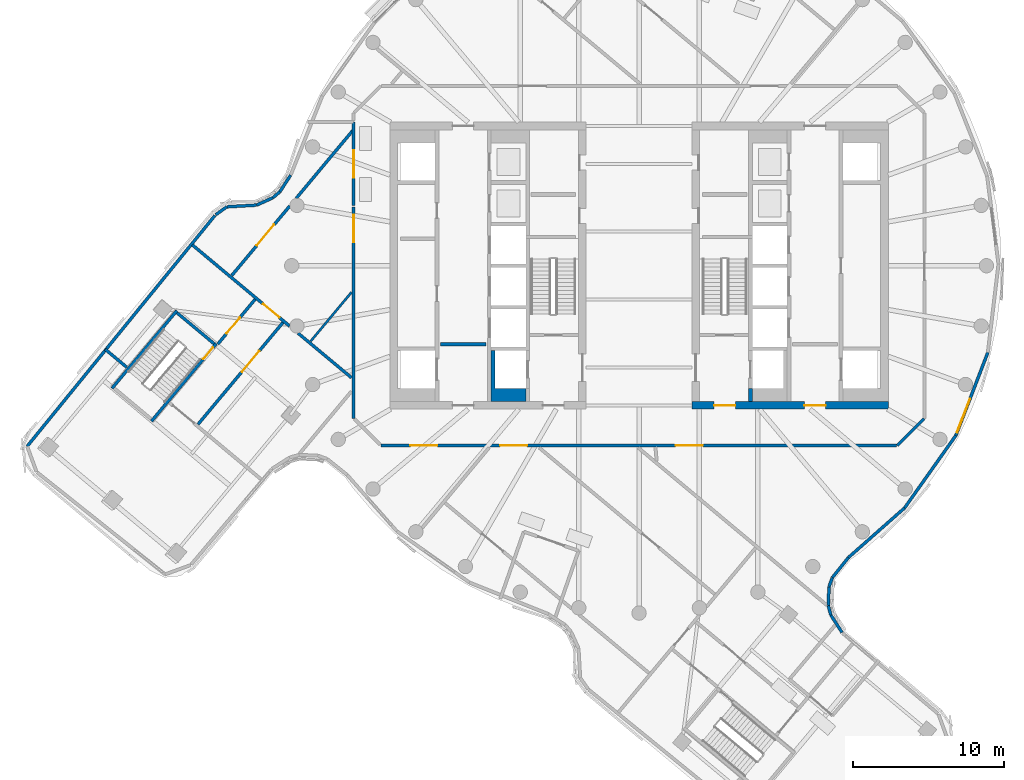
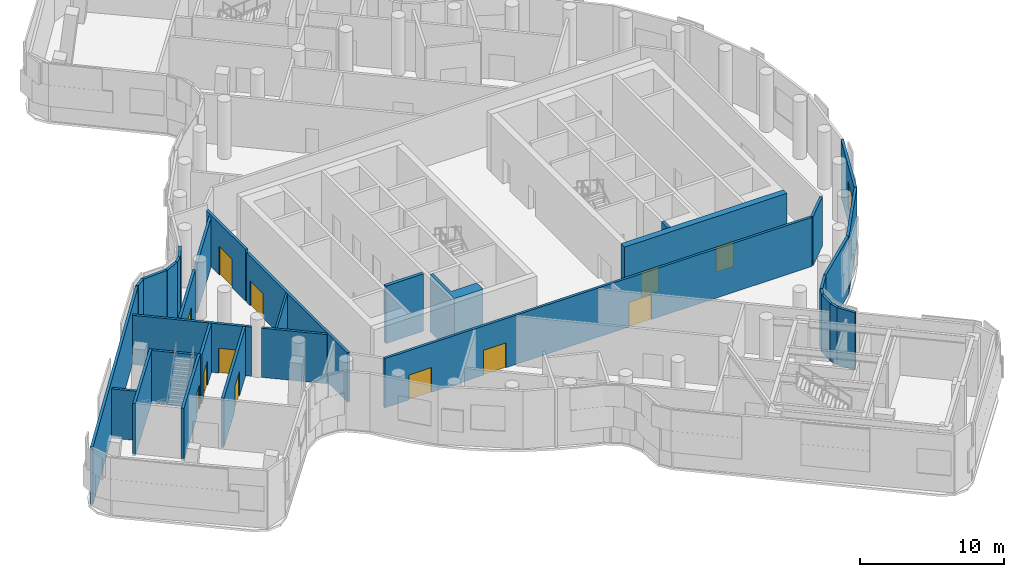
# One storey, part 8 of 19: 33 walls, 12 doors, 1 window, 13 openings.
"""IFC4 building model written with IfcOpenShell, lengths in metres."""

from ifc_helpers import new_model, si_unit, direction, frame, frame_2d, origin, place, context, subcontext, project, spatial, polyline, rectangle, outline, extrude, material, layer, layer_set, type_object, element, fill, save


model = new_model("IFC4")

# Units and contexts
model_context = context("Model", 3, precision=1e-05, world=origin(), true_north=direction((0.0, 1.0)))
body_context = subcontext(model_context, "Body", "Model", "MODEL_VIEW")
ifc_project = project(units=[si_unit("LENGTHUNIT", "METRE"), si_unit("AREAUNIT", "SQUARE_METRE"), si_unit("VOLUMEUNIT", "CUBIC_METRE"), si_unit("PLANEANGLEUNIT", "RADIAN"), si_unit("MASSUNIT", "GRAM", prefix="KILO")], contexts=[model_context])

# Site, building, storey
site_placement = place(None, origin())
site = spatial("IfcSite", under=ifc_project, at=site_placement, CompositionType="ELEMENT")
building_placement = place(site_placement, origin())
building = spatial("IfcBuilding", under=site, at=building_placement, Name="Tamarind Cross Interchange Tower", CompositionType="ELEMENT")
storey_placement = place(building_placement, frame((0.0, 0.0, 214.89990234375)))
storey = spatial("IfcBuildingStorey", under=building, at=storey_placement, Name="L54", CompositionType="ELEMENT", Elevation=214.89990234375)

# Wall, opening, door
ifc_material_1 = material(Name="Concrete C40", Category="concrete")
ifc_layer_1 = layer(ifc_material_1, 0.199951171875)
ifc_layer_set_1 = layer_set([ifc_layer_1], Name="Concrete C40")
wall_type_1 = type_object("IfcWallType", Name="Balcony and garden door wall", PredefinedType="SOLIDWALL", material=ifc_layer_set_1)
wall_1_placement = place(storey_placement, frame((-18.89990234375, 9.5, 0.0), z_axis=(0.0, 0.0, 1.0), x_axis=(0.0, -1.0, 0.0)))
wall_1 = element("IfcWall", 1, at=wall_1_placement, inside=storey, type_object=wall_type_1, Name="EXW-L54-WG-L54-NW", PredefinedType="SOLIDWALL", context=body_context, shape_type="SweptSolid", body=[
    extrude(rectangle(XDim=5.527099609375, YDim=0.199951171875, at=frame_2d((2.763671875, 0.0))), origin(), (0.0, 0.0, 1.0), 4.364013671875),
])
opening_1_placement = place(wall_1_placement, frame((1.863525390625, 0.0, 0.0)))
opening_1 = element("IfcOpeningElement", 2, at=opening_1_placement, cuts=wall_1, Name="Opening D6", PredefinedType="OPENING", context=body_context, shape_type="SweptSolid", body=[
    extrude(rectangle(XDim=1.800048828125, YDim=2.39990234375, at=frame_2d((0.89990234375, 1.199951171875))), frame((0.0, 0.10986328125, 0.0), z_axis=(0.0, -1.0, 0.0), x_axis=(1.0, 0.0, 0.0)), (0.0, 0.0, 1.0), 0.219970703125),
])
ifc_material_2 = material(Name="Aluminium and toughened glass, fire-resisting", Category="aluminium")
door_type_1 = type_object("IfcDoorType", Name="Roof garden door, fire-resisting", OperationType="DOUBLE_DOOR_SINGLE_SWING", PredefinedType="DOOR", material=ifc_material_2)
door_1_placement = place(opening_1_placement, origin())
door_1 = element("IfcDoor", 3, at=door_1_placement, inside=storey, type_object=door_type_1, Name="DOR-L54-WG-L54-NW", OperationType="SINGLE_SWING_LEFT", OverallHeight=2.39990234375, OverallWidth=1.800048828125, PredefinedType="DOOR", context=body_context, shape_type="SweptSolid", body=[
    extrude(rectangle(XDim=1.800048828125, YDim=2.39990234375, at=frame_2d((0.89990234375, 1.199951171875))), frame((0.0, 0.02490234375, 0.0), z_axis=(0.0, -1.0, 0.0), x_axis=(1.0, 0.0, 0.0)), (0.0, 0.0, 1.0), 0.050048828125),
])
fill(opening_1, door_1)

# Wall, openings, doors
ifc_material_3 = material(Name="Concrete C55", Category="concrete")
ifc_layer_2 = layer(ifc_material_3, 0.5)
ifc_layer_set_2 = layer_set([ifc_layer_2], Name="Concrete C55")
wall_type_2 = type_object("IfcWallType", Name="Core wall 500 mm Concrete C55", PredefinedType="SHEAR", material=ifc_layer_set_2)
wall_2_placement = place(storey_placement, frame((16.5, -9.25, 0.0), z_axis=(0.0, 0.0, 1.0), x_axis=(-1.0, 0.0, 0.0)))
wall_2 = element("IfcWall", 4, at=wall_2_placement, inside=storey, type_object=wall_type_2, Name="Core wall CWL-L54-E-S", PredefinedType="SHEAR", context=body_context, shape_type="SweptSolid", body=[
    extrude(rectangle(XDim=13.0, YDim=0.5, at=frame_2d((6.5, 0.0))), origin(), (0.0, 0.0, 1.0), 4.860107421875),
])
opening_2_placement = place(wall_2_placement, frame((4.14990234375, 0.0, 0.0)))
opening_2 = element("IfcOpeningElement", 5, at=opening_2_placement, cuts=wall_2, Name="Opening DCE1", PredefinedType="OPENING", context=body_context, shape_type="SweptSolid", body=[
    extrude(rectangle(XDim=1.39990234375, YDim=2.10009765625, at=frame_2d((0.699951171875, 1.050048828125))), frame((0.0, 0.260009765625, 0.0), z_axis=(0.0, -1.0, 0.0), x_axis=(1.0, 0.0, 0.0)), (0.0, 0.0, 1.0), 0.52001953125),
])
opening_3_placement = place(wall_2_placement, frame((10.125, 0.0, 0.0)))
opening_3 = element("IfcOpeningElement", 6, at=opening_3_placement, cuts=wall_2, Name="Opening DCEF", PredefinedType="OPENING", context=body_context, shape_type="SweptSolid", body=[
    extrude(rectangle(XDim=1.39990234375, YDim=2.10009765625, at=frame_2d((0.699951171875, 1.050048828125))), frame((0.0, 0.260009765625, 0.0), z_axis=(0.0, -1.0, 0.0), x_axis=(1.0, 0.0, 0.0)), (0.0, 0.0, 1.0), 0.52001953125),
])
ifc_material_4 = material(Name="Steel, fire-resisting", Category="steel")
door_type_2 = type_object("IfcDoorType", Name="Core fire door 1400 x 2100 FD90", OperationType="SINGLE_SWING_LEFT", PredefinedType="DOOR", material=ifc_material_4)
door_2_placement = place(opening_2_placement, origin())
door_2 = element("IfcDoor", 7, at=door_2_placement, inside=storey, type_object=door_type_2, Name="L54 lift lobby door", OperationType="SINGLE_SWING_LEFT", OverallHeight=2.10009765625, OverallWidth=1.39990234375, PredefinedType="DOOR", context=body_context, shape_type="SweptSolid", body=[
    extrude(rectangle(XDim=1.39990234375, YDim=2.10009765625, at=frame_2d((0.699951171875, 1.050048828125))), frame((0.0, 0.02490234375, 0.0), z_axis=(0.0, -1.0, 0.0), x_axis=(1.0, 0.0, 0.0)), (0.0, 0.0, 1.0), 0.050048828125),
])
fill(opening_2, door_2)
door_3_placement = place(opening_3_placement, origin())
door_3 = element("IfcDoor", 8, at=door_3_placement, inside=storey, type_object=door_type_2, Name="L54 firefighting lobby end door", OperationType="SINGLE_SWING_LEFT", OverallHeight=2.10009765625, OverallWidth=1.39990234375, PredefinedType="DOOR", context=body_context, shape_type="SweptSolid", body=[
    extrude(rectangle(XDim=1.39990234375, YDim=2.10009765625, at=frame_2d((0.699951171875, 1.050048828125))), frame((0.0, 0.02490234375, 0.0), z_axis=(0.0, -1.0, 0.0), x_axis=(1.0, 0.0, 0.0)), (0.0, 0.0, 1.0), 0.050048828125),
])
fill(opening_3, door_3)

# Walls
ifc_layer_3 = layer(ifc_material_3, 0.25)
ifc_layer_set_3 = layer_set([ifc_layer_3], Name="Concrete C55")
wall_type_3 = type_object("IfcWallType", Name="Core web wall 250 mm Concrete C55", PredefinedType="SHEAR", material=ifc_layer_set_3)
wall_3_placement = place(storey_placement, origin())
element("IfcWall", 9, at=wall_3_placement, inside=storey, type_object=wall_type_3, Name="Core wall CWL-L54-W-BS", PredefinedType="SHEAR", context=body_context, shape_type="SweptSolid", body=[
    extrude(outline(polyline([(-7.5, -8.125), (-9.550048828125, -8.125), (-9.550048828125, -5.625), (-9.800048828125, -5.625), (-9.800048828125, -8.125), (-9.800048828125, -9.0), (-7.5, -9.0), (-7.5, -8.125)])), origin(), (0.0, 0.0, 1.0), 4.860107421875),
])
wall_4_placement = place(storey_placement, frame((7.375, -9.0, 0.0), z_axis=(0.0, 0.0, 1.0), x_axis=(0.0, 1.0, 0.0)))
element("IfcWall", 10, at=wall_4_placement, inside=storey, type_object=wall_type_3, Name="Core wall CWL-L54-E-BW", PredefinedType="SHEAR", context=body_context, shape_type="SweptSolid", body=[
    extrude(rectangle(XDim=0.875, YDim=0.25, at=frame_2d((0.4375, 0.0))), origin(), (0.0, 0.0, 1.0), 4.860107421875),
])
ifc_material_5 = material(Name="Gypsum board partition on steel studs", Category="steel")
ifc_layer_4 = layer(ifc_material_5, 0.14990234375)
ifc_layer_set_4 = layer_set([ifc_layer_4], Name="Gypsum board partition on steel studs")
wall_type_4 = type_object("IfcWallType", Name="Partition 150 mm EI 120", PredefinedType="PARTITIONING", material=ifc_layer_set_4)
wall_5_placement = place(storey_placement, frame((-21.748046875, -5.00390625, 0.0), z_axis=(0.0, 0.0, 1.0), x_axis=(0.640814436724, 0.767695810647, 0.0)))
element("IfcWall", 11, at=wall_5_placement, inside=storey, type_object=wall_type_4, Name="Partition L54-033", PredefinedType="PARTITIONING", context=body_context, shape_type="SweptSolid", body=[
    extrude(rectangle(XDim=4.229248046875, YDim=0.14990234375, at=frame_2d((2.11474609375, 0.0))), origin(), (0.0, 0.0, 1.0), 4.16015625),
])
ifc_layer_5 = layer(ifc_material_5, 0.199951171875)
ifc_layer_set_5 = layer_set([ifc_layer_5], Name="Gypsum board partition on steel studs")
wall_type_5 = type_object("IfcWallType", Name="Partition 200 mm EI 180", PredefinedType="PARTITIONING", material=ifc_layer_set_5)
wall_6_placement = place(storey_placement, frame((-35.34521484375, -5.53466796875, 0.0), z_axis=(0.0, 0.0, 1.0), x_axis=(0.767995139873, -0.640455669919, 0.0)))
element("IfcWall", 12, at=wall_6_placement, inside=storey, type_object=wall_type_5, Name="Partition L54-004", PredefinedType="PARTITIONING", context=body_context, shape_type="SweptSolid", body=[
    extrude(rectangle(XDim=1.858642578125, YDim=0.199951171875, at=frame_2d((0.92919921875, 0.0))), origin(), (0.0, 0.0, 1.0), 4.16015625),
])

# Wall, opening, door
wall_7_placement = place(storey_placement, frame((-29.577880859375, 1.375244140625, 0.0), z_axis=(0.0, 0.0, 1.0), x_axis=(0.767770502141, -0.6407249457, 0.0)))
wall_7 = element("IfcWall", 13, at=wall_7_placement, inside=storey, type_object=wall_type_5, Name="Partition L54-006", PredefinedType="PARTITIONING", context=body_context, shape_type="SweptSolid", body=[
    extrude(rectangle(XDim=8.393798828125, YDim=0.199951171875, at=frame_2d((4.19677734375, 0.0))), origin(), (0.0, 0.0, 1.0), 4.16015625),
])
opening_4_placement = place(wall_7_placement, frame((6.098876953125, 0.0, 0.0)))
opening_4 = element("IfcOpeningElement", 14, at=opening_4_placement, cuts=wall_7, Name="Opening D02", PredefinedType="OPENING", context=body_context, shape_type="SweptSolid", body=[
    extrude(rectangle(XDim=1.39990234375, YDim=2.10009765625, at=frame_2d((0.699951171875, 1.050048828125))), frame((0.0, 0.10986328125, 0.0), z_axis=(0.0, -1.0, 0.0), x_axis=(1.0, 0.0, 0.0)), (0.0, 0.0, 1.0), 0.219970703125),
])
ifc_material_6 = material(Name="Fire-resisting door set")
door_type_3 = type_object("IfcDoorType", Name="Interior door 1400 x 2100 FD120S", OperationType="DOUBLE_DOOR_SINGLE_SWING", PredefinedType="DOOR", material=ifc_material_6)
door_4_placement = place(opening_4_placement, origin())
door_4 = element("IfcDoor", 15, at=door_4_placement, inside=storey, type_object=door_type_3, Name="Door D02", OperationType="DOUBLE_DOOR_SINGLE_SWING", OverallHeight=2.10009765625, OverallWidth=1.39990234375, PredefinedType="DOOR", context=body_context, shape_type="SweptSolid", body=[
    extrude(rectangle(XDim=1.39990234375, YDim=2.10009765625, at=frame_2d((0.699951171875, 1.050048828125))), frame((0.0, 0.02490234375, 0.0), z_axis=(0.0, -1.0, 0.0), x_axis=(1.0, 0.0, 0.0)), (0.0, 0.0, 1.0), 0.050048828125),
])
fill(opening_4, door_4)

# Wall
wall_8_placement = place(storey_placement, frame((-22.583984375, -4.461181640625, 0.0), z_axis=(0.0, 0.0, 1.0), x_axis=(0.767782587274, -0.640710463999, 0.0)))
element("IfcWall", 16, at=wall_8_placement, inside=storey, type_object=wall_type_5, Name="Partition L54-007", PredefinedType="PARTITIONING", context=body_context, shape_type="SweptSolid", body=[
    extrude(rectangle(XDim=4.609130859375, YDim=0.199951171875, at=frame_2d((2.3046875, 0.0))), origin(), (0.0, 0.0, 1.0), 4.16015625),
])

# Wall, openings, doors
wall_9_placement = place(storey_placement, frame((-17.10009765625, -11.89990234375, 0.0), z_axis=(0.0, 0.0, 1.0), x_axis=(1.0, 0.0, 0.0)))
wall_9 = element("IfcWall", 17, at=wall_9_placement, inside=storey, type_object=wall_type_5, Name="Partition L54-023", PredefinedType="PARTITIONING", context=body_context, shape_type="SweptSolid", body=[
    extrude(rectangle(XDim=34.14501953125, YDim=0.199951171875, at=frame_2d((17.072509765625, 0.0))), origin(), (0.0, 0.0, 1.0), 4.16015625),
])
opening_5_placement = place(wall_9_placement, frame((7.89404296875, 0.0, 0.0)))
opening_5 = element("IfcOpeningElement", 18, at=opening_5_placement, cuts=wall_9, Name="Opening D15", PredefinedType="OPENING", context=body_context, shape_type="SweptSolid", body=[
    extrude(rectangle(XDim=1.800048828125, YDim=2.10009765625, at=frame_2d((0.89990234375, 1.050048828125))), frame((0.0, 0.10986328125, 0.0), z_axis=(0.0, -1.0, 0.0), x_axis=(1.0, 0.0, 0.0)), (0.0, 0.0, 1.0), 0.219970703125),
])
opening_6_placement = place(wall_9_placement, frame((1.949951171875, 0.0, 0.0)))
opening_6 = element("IfcOpeningElement", 19, at=opening_6_placement, cuts=wall_9, Name="Opening D16", PredefinedType="OPENING", context=body_context, shape_type="SweptSolid", body=[
    extrude(rectangle(XDim=1.800048828125, YDim=2.10009765625, at=frame_2d((0.89990234375, 1.050048828125))), frame((0.0, 0.10986328125, 0.0), z_axis=(0.0, -1.0, 0.0), x_axis=(1.0, 0.0, 0.0)), (0.0, 0.0, 1.0), 0.219970703125),
])
opening_7_placement = place(wall_9_placement, frame((19.52294921875, 0.0, 0.0)))
opening_7 = element("IfcOpeningElement", 20, at=opening_7_placement, cuts=wall_9, Name="Opening D17", PredefinedType="OPENING", context=body_context, shape_type="SweptSolid", body=[
    extrude(rectangle(XDim=1.800048828125, YDim=2.10009765625, at=frame_2d((0.89990234375, 1.050048828125))), frame((0.0, 0.10986328125, 0.0), z_axis=(0.0, -1.0, 0.0), x_axis=(1.0, 0.0, 0.0)), (0.0, 0.0, 1.0), 0.219970703125),
])
door_type_4 = type_object("IfcDoorType", Name="Interior door 1800 x 2100 FD120S", OperationType="DOUBLE_DOOR_SINGLE_SWING", PredefinedType="DOOR", material=ifc_material_6)
door_5_placement = place(opening_5_placement, origin())
door_5 = element("IfcDoor", 21, at=door_5_placement, inside=storey, type_object=door_type_4, Name="Door D15", OperationType="DOUBLE_DOOR_SINGLE_SWING", OverallHeight=2.10009765625, OverallWidth=1.800048828125, PredefinedType="DOOR", context=body_context, shape_type="SweptSolid", body=[
    extrude(rectangle(XDim=1.800048828125, YDim=2.10009765625, at=frame_2d((0.89990234375, 1.050048828125))), frame((0.0, 0.02490234375, 0.0), z_axis=(0.0, -1.0, 0.0), x_axis=(1.0, 0.0, 0.0)), (0.0, 0.0, 1.0), 0.050048828125),
])
fill(opening_5, door_5)
door_6_placement = place(opening_6_placement, frame((1.800048828125, 0.0, 0.0), z_axis=(0.0, 0.0, 1.0), x_axis=(-1.0, 0.0, 0.0)))
door_6 = element("IfcDoor", 22, at=door_6_placement, inside=storey, type_object=door_type_4, Name="Door D16", OperationType="DOUBLE_DOOR_SINGLE_SWING", OverallHeight=2.10009765625, OverallWidth=1.800048828125, PredefinedType="DOOR", context=body_context, shape_type="SweptSolid", body=[
    extrude(rectangle(XDim=1.800048828125, YDim=2.10009765625, at=frame_2d((0.89990234375, 1.050048828125))), frame((0.0, 0.02490234375, 0.0), z_axis=(0.0, -1.0, 0.0), x_axis=(1.0, 0.0, 0.0)), (0.0, 0.0, 1.0), 0.050048828125),
])
fill(opening_6, door_6)
door_7_placement = place(opening_7_placement, frame((1.800048828125, 0.0, 0.0), z_axis=(0.0, 0.0, 1.0), x_axis=(-1.0, 0.0, 0.0)))
door_7 = element("IfcDoor", 23, at=door_7_placement, inside=storey, type_object=door_type_4, Name="Door D17", OperationType="DOUBLE_DOOR_SINGLE_SWING", OverallHeight=2.10009765625, OverallWidth=1.800048828125, PredefinedType="DOOR", context=body_context, shape_type="SweptSolid", body=[
    extrude(rectangle(XDim=1.800048828125, YDim=2.10009765625, at=frame_2d((0.89990234375, 1.050048828125))), frame((0.0, 0.02490234375, 0.0), z_axis=(0.0, -1.0, 0.0), x_axis=(1.0, 0.0, 0.0)), (0.0, 0.0, 1.0), 0.050048828125),
])
fill(opening_7, door_7)

# Wall
wall_10_placement = place(storey_placement, frame((17.10009765625, -11.89990234375, 0.0), z_axis=(0.0, 0.0, 1.0), x_axis=(0.707106781187, 0.707106781187, 0.0)))
element("IfcWall", 24, at=wall_10_placement, inside=storey, type_object=wall_type_5, Name="Partition L54-026", PredefinedType="PARTITIONING", context=body_context, shape_type="SweptSolid", body=[
    extrude(rectangle(XDim=2.485595703125, YDim=0.199951171875, at=frame_2d((1.24267578125, 0.0))), origin(), (0.0, 0.0, 1.0), 4.16015625),
])

# Wall, opening, door
wall_11_placement = place(storey_placement, frame((-29.2041015625, -10.50390625, 0.0), z_axis=(0.0, 0.0, 1.0), x_axis=(0.640742157365, 0.767756138221, 0.0)))
wall_11 = element("IfcWall", 25, at=wall_11_placement, inside=storey, type_object=wall_type_5, Name="Partition L54-027", PredefinedType="PARTITIONING", context=body_context, shape_type="SweptSolid", body=[
    extrude(rectangle(XDim=8.780517578125, YDim=0.199951171875, at=frame_2d((4.39013671875, 0.0))), origin(), (0.0, 0.0, 1.0), 4.16015625),
])
opening_8_placement = place(wall_11_placement, frame((4.530029296875, 0.0, 0.0)))
opening_8 = element("IfcOpeningElement", 26, at=opening_8_placement, cuts=wall_11, Name="Opening D20", PredefinedType="OPENING", context=body_context, shape_type="SweptSolid", body=[
    extrude(rectangle(XDim=1.800048828125, YDim=2.10009765625, at=frame_2d((0.89990234375, 1.050048828125))), frame((0.0, 0.10986328125, 0.0), z_axis=(0.0, -1.0, 0.0), x_axis=(1.0, 0.0, 0.0)), (0.0, 0.0, 1.0), 0.219970703125),
])
door_8_placement = place(opening_8_placement, frame((1.800048828125, 0.0, 0.0), z_axis=(0.0, 0.0, 1.0), x_axis=(-1.0, 0.0, 0.0)))
door_8 = element("IfcDoor", 27, at=door_8_placement, inside=storey, type_object=door_type_4, Name="Door D20", OperationType="DOUBLE_DOOR_SINGLE_SWING", OverallHeight=2.10009765625, OverallWidth=1.800048828125, PredefinedType="DOOR", context=body_context, shape_type="SweptSolid", body=[
    extrude(rectangle(XDim=1.800048828125, YDim=2.10009765625, at=frame_2d((0.89990234375, 1.050048828125))), frame((0.0, 0.02490234375, 0.0), z_axis=(0.0, -1.0, 0.0), x_axis=(1.0, 0.0, 0.0)), (0.0, 0.0, 1.0), 0.050048828125),
])
fill(opening_8, door_8)

wall_12_placement = place(storey_placement, frame((-27.8935546875, -5.1884765625, 0.0), z_axis=(0.0, 0.0, 1.0), x_axis=(0.640750333898, 0.767749314301, 0.0)))
wall_12 = element("IfcWall", 28, at=wall_12_placement, inside=storey, type_object=wall_type_5, Name="Partition L54-028", PredefinedType="PARTITIONING", context=body_context, shape_type="SweptSolid", body=[
    extrude(rectangle(XDim=3.860107421875, YDim=0.199951171875, at=frame_2d((1.93017578125, 0.0))), origin(), (0.0, 0.0, 1.0), 4.16015625),
])
opening_9_placement = place(wall_12_placement, frame((0.89990234375, 0.0, 0.0)))
opening_9 = element("IfcOpeningElement", 29, at=opening_9_placement, cuts=wall_12, Name="Opening D21", PredefinedType="OPENING", context=body_context, shape_type="SweptSolid", body=[
    extrude(rectangle(XDim=1.39990234375, YDim=2.10009765625, at=frame_2d((0.699951171875, 1.050048828125))), frame((0.0, 0.10986328125, 0.0), z_axis=(0.0, -1.0, 0.0), x_axis=(1.0, 0.0, 0.0)), (0.0, 0.0, 1.0), 0.219970703125),
])
door_9_placement = place(opening_9_placement, origin())
door_9 = element("IfcDoor", 30, at=door_9_placement, inside=storey, type_object=door_type_3, Name="Door D21", OperationType="DOUBLE_DOOR_SINGLE_SWING", OverallHeight=2.10009765625, OverallWidth=1.39990234375, PredefinedType="DOOR", context=body_context, shape_type="SweptSolid", body=[
    extrude(rectangle(XDim=1.39990234375, YDim=2.10009765625, at=frame_2d((0.699951171875, 1.050048828125))), frame((0.0, 0.02490234375, 0.0), z_axis=(0.0, -1.0, 0.0), x_axis=(1.0, 0.0, 0.0)), (0.0, 0.0, 1.0), 0.050048828125),
])
fill(opening_9, door_9)

wall_13_placement = place(storey_placement, frame((-26.968017578125, -0.64697265625, 0.0), z_axis=(0.0, 0.0, 1.0), x_axis=(0.640736859204, 0.767760559847, 0.0)))
wall_13 = element("IfcWall", 31, at=wall_13_placement, inside=storey, type_object=wall_type_5, Name="Partition L54-029", PredefinedType="PARTITIONING", context=body_context, shape_type="SweptSolid", body=[
    extrude(rectangle(XDim=5.99658203125, YDim=0.199951171875, at=frame_2d((2.998291015625, 0.0))), origin(), (0.0, 0.0, 1.0), 4.16015625),
])
opening_10_placement = place(wall_13_placement, frame((2.580078125, 0.0, 0.0)))
opening_10 = element("IfcOpeningElement", 32, at=opening_10_placement, cuts=wall_13, Name="Opening D22", PredefinedType="OPENING", context=body_context, shape_type="SweptSolid", body=[
    extrude(rectangle(XDim=1.800048828125, YDim=2.10009765625, at=frame_2d((0.89990234375, 1.050048828125))), frame((0.0, 0.10986328125, 0.0), z_axis=(0.0, -1.0, 0.0), x_axis=(1.0, 0.0, 0.0)), (0.0, 0.0, 1.0), 0.219970703125),
])
door_10_placement = place(opening_10_placement, origin())
door_10 = element("IfcDoor", 33, at=door_10_placement, inside=storey, type_object=door_type_4, Name="Door D22", OperationType="DOUBLE_DOOR_SINGLE_SWING", OverallHeight=2.10009765625, OverallWidth=1.800048828125, PredefinedType="DOOR", context=body_context, shape_type="SweptSolid", body=[
    extrude(rectangle(XDim=1.800048828125, YDim=2.10009765625, at=frame_2d((0.89990234375, 1.050048828125))), frame((0.0, 0.02490234375, 0.0), z_axis=(0.0, -1.0, 0.0), x_axis=(1.0, 0.0, 0.0)), (0.0, 0.0, 1.0), 0.050048828125),
])
fill(opening_10, door_10)

# Wall
wall_14_placement = place(storey_placement, frame((-22.701416015625, 4.46533203125, 0.0), z_axis=(0.0, 0.0, 1.0), x_axis=(0.640775177537, 0.767728579547, 0.0)))
element("IfcWall", 34, at=wall_14_placement, inside=storey, type_object=wall_type_5, Name="Partition L54-030", PredefinedType="PARTITIONING", context=body_context, shape_type="SweptSolid", body=[
    extrude(rectangle(XDim=5.9326171875, YDim=0.199951171875, at=frame_2d((2.96630859375, 0.0))), origin(), (0.0, 0.0, 1.0), 4.16015625),
])

# Wall, opening, door
wall_15_placement = place(storey_placement, frame((-18.89990234375, -10.10009765625, 0.0), z_axis=(0.0, 0.0, 1.0), x_axis=(0.0, 1.0, 0.0)))
wall_15 = element("IfcWall", 35, at=wall_15_placement, inside=storey, type_object=wall_type_5, Name="Partition L54-047", PredefinedType="PARTITIONING", context=body_context, shape_type="SweptSolid", body=[
    extrude(rectangle(XDim=13.972900390625, YDim=0.199951171875, at=frame_2d((6.986328125, 0.0))), origin(), (0.0, 0.0, 1.0), 4.16015625),
])
opening_11_placement = place(wall_15_placement, frame((11.657958984375, 0.0, 0.0)))
opening_11 = element("IfcOpeningElement", 36, at=opening_11_placement, cuts=wall_15, Name="Opening D27", PredefinedType="OPENING", context=body_context, shape_type="SweptSolid", body=[
    extrude(rectangle(XDim=1.800048828125, YDim=2.10009765625, at=frame_2d((0.89990234375, 1.050048828125))), frame((0.0, 0.10986328125, 0.0), z_axis=(0.0, -1.0, 0.0), x_axis=(1.0, 0.0, 0.0)), (0.0, 0.0, 1.0), 0.219970703125),
])
door_11_placement = place(opening_11_placement, frame((1.800048828125, 0.0, 0.0), z_axis=(0.0, 0.0, 1.0), x_axis=(-1.0, 0.0, 0.0)))
door_11 = element("IfcDoor", 37, at=door_11_placement, inside=storey, type_object=door_type_4, Name="Door D27", OperationType="DOUBLE_DOOR_SINGLE_SWING", OverallHeight=2.10009765625, OverallWidth=1.800048828125, PredefinedType="DOOR", context=body_context, shape_type="SweptSolid", body=[
    extrude(rectangle(XDim=1.800048828125, YDim=2.10009765625, at=frame_2d((0.89990234375, 1.050048828125))), frame((0.0, 0.02490234375, 0.0), z_axis=(0.0, -1.0, 0.0), x_axis=(1.0, 0.0, 0.0)), (0.0, 0.0, 1.0), 0.050048828125),
])
fill(opening_11, door_11)

# Walls
ifc_material_7 = material(Name="Precast concrete C40", Category="concrete")
ifc_layer_6 = layer(ifc_material_7, 0.199951171875)
ifc_layer_set_6 = layer_set([ifc_layer_6], Name="Precast concrete C40")
wall_type_6 = type_object("IfcWallType", Name="Refuge level external wall", PredefinedType="SOLIDWALL", material=ifc_layer_set_6)
wall_16_placement = place(storey_placement, frame((13.438232421875, -24.287353515625, 0.0), z_axis=(0.0, 0.0, 1.0), x_axis=(-0.540343058881, 0.841444816205, 0.0)))
element("IfcWall", 38, at=wall_16_placement, inside=storey, type_object=wall_type_6, Name="RFW-L54-06-00", PredefinedType="SOLIDWALL", context=body_context, shape_type="SweptSolid", body=[
    extrude(rectangle(XDim=1.369384765625, YDim=0.199951171875, at=frame_2d((0.6845703125, 0.0))), origin(), (0.0, 0.0, 1.0), 4.860107421875),
])
wall_17_placement = place(storey_placement, frame((12.6982421875, -23.135009765625, 0.0), z_axis=(0.0, 0.0, 1.0), x_axis=(-0.263532690811, 0.964650465648, 0.0)))
element("IfcWall", 39, at=wall_17_placement, inside=storey, type_object=wall_type_6, Name="RFW-L54-06-01", PredefinedType="SOLIDWALL", context=body_context, shape_type="SweptSolid", body=[
    extrude(rectangle(XDim=0.646728515625, YDim=0.199951171875, at=frame_2d((0.3232421875, 0.0))), origin(), (0.0, 0.0, 1.0), 4.860107421875),
])
wall_18_placement = place(storey_placement, frame((12.52783203125, -22.51123046875, 0.0), z_axis=(0.0, 0.0, 1.0), x_axis=(0.037627776093, 0.999291824477, 0.0)))
element("IfcWall", 40, at=wall_18_placement, inside=storey, type_object=wall_type_6, Name="RFW-L54-06-02", PredefinedType="SOLIDWALL", context=body_context, shape_type="SweptSolid", body=[
    extrude(rectangle(XDim=1.245849609375, YDim=0.199951171875, at=frame_2d((0.623046875, 0.0))), origin(), (0.0, 0.0, 1.0), 4.860107421875),
])
wall_19_placement = place(storey_placement, frame((12.57470703125, -21.266357421875, 0.0), z_axis=(0.0, 0.0, 1.0), x_axis=(0.335669576077, 0.9419797958, 0.0)))
element("IfcWall", 41, at=wall_19_placement, inside=storey, type_object=wall_type_6, Name="RFW-L54-06-03", PredefinedType="SOLIDWALL", context=body_context, shape_type="SweptSolid", body=[
    extrude(rectangle(XDim=0.6494140625, YDim=0.199951171875, at=frame_2d((0.32470703125, 0.0))), origin(), (0.0, 0.0, 1.0), 4.860107421875),
])
wall_20_placement = place(storey_placement, frame((12.792724609375, -20.654541015625, 0.0), z_axis=(0.0, 0.0, 1.0), x_axis=(0.624309209942, 0.781177323264, 0.0)))
element("IfcWall", 42, at=wall_20_placement, inside=storey, type_object=wall_type_6, Name="RFW-L54-06-04", PredefinedType="SOLIDWALL", context=body_context, shape_type="SweptSolid", body=[
    extrude(rectangle(XDim=1.697998046875, YDim=0.199951171875, at=frame_2d((0.84912109375, 0.0))), origin(), (0.0, 0.0, 1.0), 4.860107421875),
])
wall_21_placement = place(storey_placement, frame((13.852783203125, -19.328125, 0.0), z_axis=(0.0, 0.0, 1.0), x_axis=(0.749682916513, 0.661797193019, 0.0)))
element("IfcWall", 43, at=wall_21_placement, inside=storey, type_object=wall_type_6, Name="RFW-L54-06-05", PredefinedType="SOLIDWALL", context=body_context, shape_type="SweptSolid", body=[
    extrude(rectangle(XDim=4.967041015625, YDim=0.199951171875, at=frame_2d((2.4833984375, 0.0))), origin(), (0.0, 0.0, 1.0), 4.860107421875),
])
wall_22_placement = place(storey_placement, frame((17.576416015625, -16.041015625, 0.0), z_axis=(0.0, 0.0, 1.0), x_axis=(0.577552366327, 0.816353639148, 0.0)))
element("IfcWall", 44, at=wall_22_placement, inside=storey, type_object=wall_type_6, Name="RFW-L54-06-06", PredefinedType="SOLIDWALL", context=body_context, shape_type="SweptSolid", body=[
    extrude(rectangle(XDim=5.88671875, YDim=0.199951171875, at=frame_2d((2.943359375, 0.0))), origin(), (0.0, 0.0, 1.0), 4.860107421875),
])

# Wall, opening, window
wall_23_placement = place(storey_placement, frame((20.976318359375, -11.2353515625, 0.0), z_axis=(0.0, 0.0, 1.0), x_axis=(0.359490386692, 0.933148788713, 0.0)))
wall_23 = element("IfcWall", 45, at=wall_23_placement, inside=storey, type_object=wall_type_6, Name="RFW-L54-06-07", PredefinedType="SOLIDWALL", context=body_context, shape_type="SweptSolid", body=[
    extrude(rectangle(XDim=5.88671875, YDim=0.199951171875, at=frame_2d((2.943359375, 0.0))), origin(), (0.0, 0.0, 1.0), 4.860107421875),
])
opening_12_placement = place(wall_23_placement, frame((0.199951171875, 0.0, 1.39990234375)))
opening_12 = element("IfcOpeningElement", 46, at=opening_12_placement, cuts=wall_23, Name="Opening W3", PredefinedType="OPENING", context=body_context, shape_type="SweptSolid", body=[
    extrude(rectangle(XDim=2.39990234375, YDim=2.10009765625, at=frame_2d((1.199951171875, 1.050048828125))), frame((0.0, 0.10986328125, 0.0), z_axis=(0.0, -1.0, 0.0), x_axis=(1.0, 0.0, 0.0)), (0.0, 0.0, 1.0), 0.219970703125),
])
ifc_material_8 = material(Name="Aluminium and fire-resisting glass", Category="aluminium")
window_type = type_object("IfcWindowType", Name="Refuge rescue window", PartitioningType="DOUBLE_PANEL_VERTICAL", PredefinedType="WINDOW", material=ifc_material_8)
window_placement = place(opening_12_placement, origin())
window = element("IfcWindow", 47, at=window_placement, inside=storey, type_object=window_type, Name="RSW-L54-06-03", OverallHeight=2.10009765625, OverallWidth=2.39990234375, PartitioningType="SINGLE_PANEL", PredefinedType="WINDOW", context=body_context, shape_type="SweptSolid", body=[
    extrude(rectangle(XDim=2.39990234375, YDim=2.10009765625, at=frame_2d((1.199951171875, 1.050048828125))), frame((0.0, 0.030029296875, 0.0), z_axis=(0.0, -1.0, 0.0), x_axis=(1.0, 0.0, 0.0)), (0.0, 0.0, 1.0), 0.06005859375),
])
fill(opening_12, window)

# Walls
wall_24_placement = place(storey_placement, frame((-23.067138671875, 6.001220703125, 0.0), z_axis=(0.0, 0.0, 1.0), x_axis=(-0.543951096274, -0.839116919662, 0.0)))
element("IfcWall", 48, at=wall_24_placement, inside=storey, type_object=wall_type_6, Name="RFW-L54-10-12", PredefinedType="SOLIDWALL", context=body_context, shape_type="SweptSolid", body=[
    extrude(rectangle(XDim=1.31591796875, YDim=0.199951171875, at=frame_2d((0.657958984375, 0.0))), origin(), (0.0, 0.0, 1.0), 4.860107421875),
])
wall_25_placement = place(storey_placement, frame((-23.782958984375, 4.89697265625, 0.0), z_axis=(0.0, 0.0, 1.0), x_axis=(-0.758719364192, -0.651417628254, 0.0)))
element("IfcWall", 49, at=wall_25_placement, inside=storey, type_object=wall_type_6, Name="RFW-L54-10-13", PredefinedType="SOLIDWALL", context=body_context, shape_type="SweptSolid", body=[
    extrude(rectangle(XDim=0.60986328125, YDim=0.199951171875, at=frame_2d((0.304931640625, 0.0))), origin(), (0.0, 0.0, 1.0), 4.860107421875),
])
wall_26_placement = place(storey_placement, frame((-24.24560546875, 4.499755859375, 0.0), z_axis=(0.0, 0.0, 1.0), x_axis=(-0.911490011806, -0.411322207494, 0.0)))
element("IfcWall", 50, at=wall_26_placement, inside=storey, type_object=wall_type_6, Name="RFW-L54-10-14", PredefinedType="SOLIDWALL", context=body_context, shape_type="SweptSolid", body=[
    extrude(rectangle(XDim=1.18701171875, YDim=0.199951171875, at=frame_2d((0.593505859375, 0.0))), origin(), (0.0, 0.0, 1.0), 4.860107421875),
])
wall_27_placement = place(storey_placement, frame((-25.32763671875, 4.011474609375, 0.0), z_axis=(0.0, 0.0, 1.0), x_axis=(-0.998367905446, -0.057109766027, 0.0)))
element("IfcWall", 51, at=wall_27_placement, inside=storey, type_object=wall_type_6, Name="RFW-L54-10-15", PredefinedType="SOLIDWALL", context=body_context, shape_type="SweptSolid", body=[
    extrude(rectangle(XDim=1.970703125, YDim=0.199951171875, at=frame_2d((0.9853515625, 0.0))), origin(), (0.0, 0.0, 1.0), 4.860107421875),
])
wall_28_placement = place(storey_placement, frame((-27.295166015625, 3.89892578125, 0.0), z_axis=(0.0, 0.0, 1.0), x_axis=(-0.814189379779, -0.580599391883, 0.0)))
element("IfcWall", 52, at=wall_28_placement, inside=storey, type_object=wall_type_6, Name="RFW-L54-10-16", PredefinedType="SOLIDWALL", context=body_context, shape_type="SweptSolid", body=[
    extrude(rectangle(XDim=0.904052734375, YDim=0.199951171875, at=frame_2d((0.4521484375, 0.0))), origin(), (0.0, 0.0, 1.0), 4.860107421875),
])
wall_29_placement = place(storey_placement, frame((-28.081298828125, 3.325927734375, 0.0), z_axis=(0.0, 0.0, 1.0), x_axis=(-0.631092649572, -0.775707462679, 0.0)))
element("IfcWall", 53, at=wall_29_placement, inside=storey, type_object=wall_type_6, Name="RFW-L54-11-00", PredefinedType="SOLIDWALL", context=body_context, shape_type="SweptSolid", body=[
    extrude(rectangle(XDim=19.69970703125, YDim=0.199951171875, at=frame_2d((9.849853515625, 0.0))), origin(), (0.0, 0.0, 1.0), 4.860107421875),
])
ifc_layer_7 = layer(ifc_material_1, 0.25)
ifc_layer_set_7 = layer_set([ifc_layer_7], Name="Concrete C40")
wall_type_7 = type_object("IfcWallType", Name="Shaft and lobby wall 250 mm Concrete C40", PredefinedType="PARTITIONING", material=ifc_layer_set_7)
wall_30_placement = place(storey_placement, frame((-13.14990234375, -5.199951171875, 0.0), z_axis=(0.0, 0.0, 1.0), x_axis=(1.0, 0.0, 0.0)))
element("IfcWall", 54, at=wall_30_placement, inside=storey, type_object=wall_type_7, Name="Shaft wall CWL-L54-W-EVP", PredefinedType="PARTITIONING", context=body_context, shape_type="SweptSolid", body=[
    extrude(rectangle(XDim=3.0, YDim=0.25, at=frame_2d((1.5, 0.0))), origin(), (0.0, 0.0, 1.0), 4.860107421875),
])

# Wall, opening, door
ifc_layer_8 = layer(ifc_material_1, 0.199951171875)
ifc_layer_set_8 = layer_set([ifc_layer_8], Name="Concrete C40")
wall_type_8 = type_object("IfcWallType", Name="Stair shaft wall 200 mm Concrete C40", PredefinedType="SHEAR", material=ifc_layer_set_8)
wall_31_placement = place(storey_placement, frame((-27.99609375, -5.1552734375, -0.179931640625), z_axis=(0.0, 0.0, 1.0), x_axis=(-0.640775593129, -0.767728232678, 0.0)))
wall_31 = element("IfcWall", 55, at=wall_31_placement, inside=storey, type_object=wall_type_8, Name="Core wall CWL-L54-ST5-H", PredefinedType="SHEAR", context=body_context, shape_type="SweptSolid", body=[
    extrude(rectangle(XDim=6.699951171875, YDim=0.199951171875, at=frame_2d((3.35009765625, 0.0))), origin(), (0.0, 0.0, 1.0), 4.444091796875),
])
opening_13_placement = place(wall_31_placement, frame((0.35009765625, 0.0, 0.0)))
opening_13 = element("IfcOpeningElement", 56, at=opening_13_placement, cuts=wall_31, Name="Opening ST5L54", PredefinedType="OPENING", context=body_context, shape_type="SweptSolid", body=[
    extrude(rectangle(XDim=1.0, YDim=2.10009765625, at=frame_2d((0.5, 1.050048828125))), frame((0.0, 0.10986328125, 0.0), z_axis=(0.0, -1.0, 0.0), x_axis=(1.0, 0.0, 0.0)), (0.0, 0.0, 1.0), 0.219970703125),
])
door_type_5 = type_object("IfcDoorType", Name="Core fire door 1000 x 2100 FD90", OperationType="SINGLE_SWING_LEFT", PredefinedType="DOOR", material=ifc_material_4)
door_12_placement = place(opening_13_placement, origin())
door_12 = element("IfcDoor", 57, at=door_12_placement, inside=storey, type_object=door_type_5, Name="L54 stair door ST5", OperationType="SINGLE_SWING_LEFT", OverallHeight=2.10009765625, OverallWidth=1.0, PredefinedType="DOOR", context=body_context, shape_type="SweptSolid", body=[
    extrude(rectangle(XDim=1.0, YDim=2.10009765625, at=frame_2d((0.5, 1.050048828125))), frame((0.0, 0.02490234375, 0.0), z_axis=(0.0, -1.0, 0.0), x_axis=(1.0, 0.0, 0.0)), (0.0, 0.0, 1.0), 0.050048828125),
])
fill(opening_13, door_12)

# Walls
wall_32_placement = place(storey_placement, frame((-30.6064453125, -2.9765625, -0.179931640625), z_axis=(0.0, 0.0, 1.0), x_axis=(-0.640775593129, -0.767728232678, 0.0)))
element("IfcWall", 58, at=wall_32_placement, inside=storey, type_object=wall_type_8, Name="Core wall CWL-L54-ST5-C", PredefinedType="SHEAR", context=body_context, shape_type="SweptSolid", body=[
    extrude(rectangle(XDim=6.699951171875, YDim=0.199951171875, at=frame_2d((3.35009765625, 0.0))), origin(), (0.0, 0.0, 1.0), 4.444091796875),
])
wall_33_placement = place(storey_placement, frame((-30.59375, -3.117431640625, -0.179931640625), z_axis=(0.0, 0.0, 1.0), x_axis=(0.767727028485, -0.640777035898, 0.0)))
element("IfcWall", 59, at=wall_33_placement, inside=storey, type_object=wall_type_8, Name="Core wall CWL-L54-ST5-CE", PredefinedType="SHEAR", context=body_context, shape_type="SweptSolid", body=[
    extrude(rectangle(XDim=3.2001953125, YDim=0.199951171875, at=frame_2d((1.60009765625, 0.0))), origin(), (0.0, 0.0, 1.0), 4.444091796875),
])

save(model, "model.ifc")
